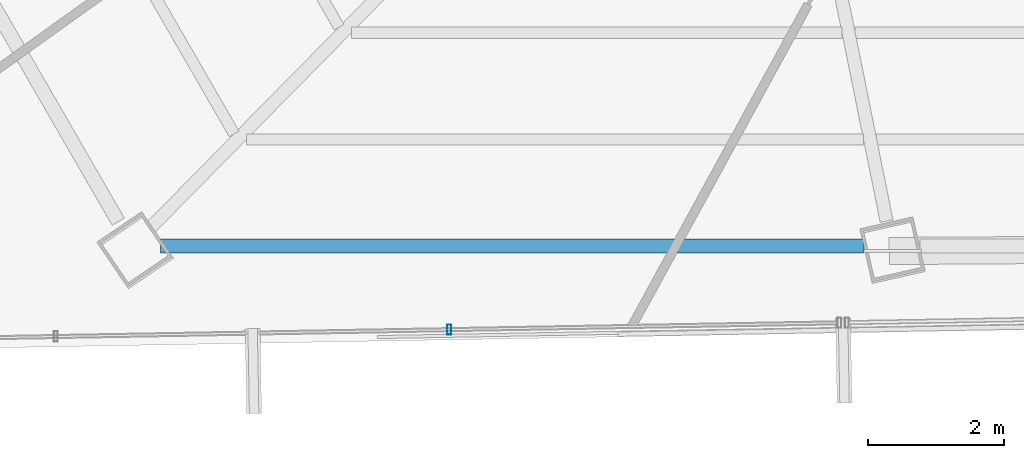
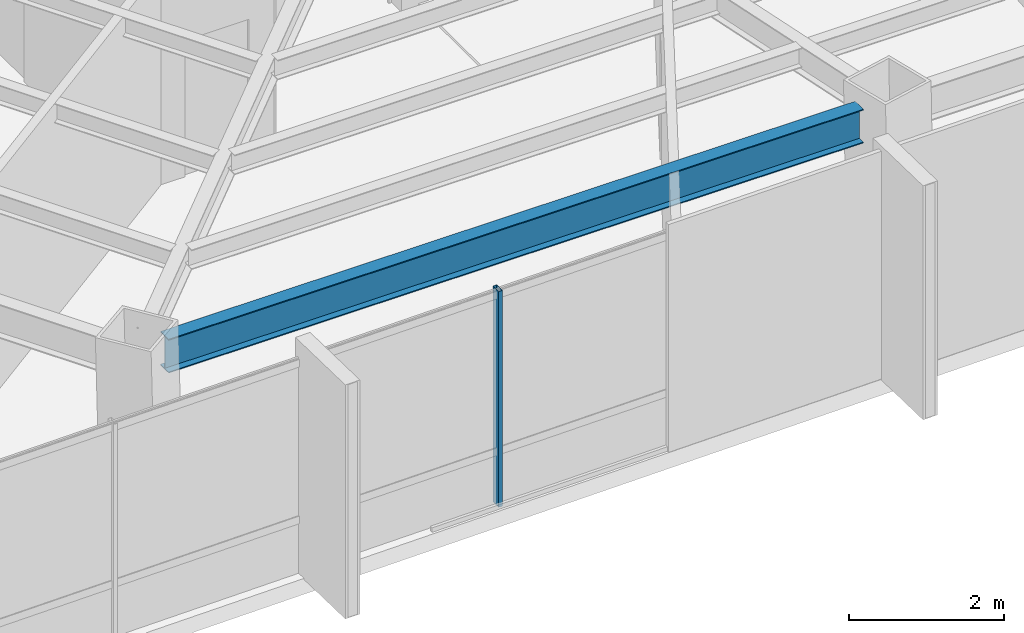
# One storey, part 6 of 42: 1 beam, 1 member, 1 element without a shape of its own.
"""IFC4 building model written with IfcOpenShell, lengths in metres."""

from ifc_helpers import new_model, si_unit, direction, frame, origin, origin_2d, place, context, subcontext, project, spatial, hollow_rectangle, i_section, extrude, source, transform, mapped, material, material_profile, profile_set, type_object, type_shapes, element, aggregate, save


model = new_model("IFC4")

# Units and contexts
model_context = context("Model", 3, precision=1e-05, world=origin(), true_north=direction((0.0, 1.0)))
body_context = subcontext(model_context, "Body", "Model", "MODEL_VIEW")
ifc_project = project(units=[si_unit("LENGTHUNIT", "METRE"), si_unit("AREAUNIT", "SQUARE_METRE"), si_unit("VOLUMEUNIT", "CUBIC_METRE"), si_unit("PLANEANGLEUNIT", "RADIAN"), si_unit("MASSUNIT", "GRAM", prefix="KILO")], contexts=[model_context])

# Site, building, storey
site_placement = place(None, origin())
site = spatial("IfcSite", under=ifc_project, at=site_placement, CompositionType="ELEMENT")
building_placement = place(site_placement, origin())
building = spatial("IfcBuilding", under=site, at=building_placement, Name="Caelisora Broadcast Tower", CompositionType="ELEMENT")
storey_placement = place(building_placement, frame((0.0, 0.0, 184.050048828125)))
storey = spatial("IfcBuildingStorey", under=building, at=storey_placement, Name="L48", CompositionType="ELEMENT", Elevation=184.050048828125)

# Beam
ifc_material_1 = material(Name="Steel Grade 350 (AS/NZS 3679.1)", Category="steel")
ifc_material_profile_1 = material_profile(ifc_material_1, i_section(OverallWidth=0.208984375, OverallDepth=0.532958984375, WebThickness=0.01025390625, FlangeThickness=0.015625, at=origin_2d()), Name="Steel Grade 350 (AS/NZS 3679.1)")
ifc_profile_set_1 = profile_set([ifc_material_profile_1], Name="Steel Grade 350 (AS/NZS 3679.1)")
beam_type = type_object("IfcBeamType", Name="PG05", PredefinedType="BEAM", material=ifc_profile_set_1)
shared_shape_1 = source(origin(), body_context, "Body", "SweptSolid", [
    extrude(i_section(OverallWidth=0.208984375, OverallDepth=0.532958984375, WebThickness=0.01025390625, FlangeThickness=0.015625, at=origin_2d()), origin(), (0.0, 0.0, 1.0), 10.3603515625),
])
type_shapes(beam_type, [shared_shape_1])
beam_placement = place(storey_placement, frame((21.62744140625, 7.97119140625, 3.133544921875), z_axis=(1.0, 0.0, 0.0), x_axis=(0.0, 1.0, 0.0)))
element("IfcBeam", 1, at=beam_placement, inside=storey, type_object=beam_type, Name="L48 beam PG05", PredefinedType="BEAM", context=body_context, shape_type="MappedRepresentation", body=[
    mapped(shared_shape_1, transform((0.0, 0.0, 0.0), scale=1.0)),
])

# Curtain wall, member
ifc_material_2 = material(Name="Unitised Aluminium and Low-E Glass Curtain Wall", Category="glass")
curtain_wall_type = type_object("IfcCurtainWallType", Name="CW-Z4", PredefinedType="NOTDEFINED", material=ifc_material_2)
curtain_wall_placement = place(storey_placement, origin())
curtain_wall = element("IfcCurtainWall", 2, at=curtain_wall_placement, inside=storey, type_object=curtain_wall_type, Name="L48 curtain wall CW-Z4", PredefinedType="NOTDEFINED")
ifc_material_3 = material(Name="Aluminium 6063-T6 Anodised Terracotta Bronze", Category="aluminium")
ifc_material_profile_2 = material_profile(ifc_material_3, hollow_rectangle(XDim=0.06005859375, YDim=0.14990234375, WallThickness=0.00341796875, at=origin_2d()), Name="Aluminium 6063-T6 Anodised Terracotta Bronze")
ifc_profile_set_2 = profile_set([ifc_material_profile_2], Name="Aluminium 6063-T6 Anodised Terracotta Bronze")
member_type = type_object("IfcMemberType", Name="CWM-03", PredefinedType="MULLION", material=ifc_profile_set_2)
shared_shape_2 = source(origin(), body_context, "Body", "SweptSolid", [
    extrude(hollow_rectangle(XDim=0.06005859375, YDim=0.14990234375, WallThickness=0.00341796875, at=origin_2d()), origin(), (0.0, 0.0, 1.0), 3.39990234375),
])
type_shapes(member_type, [shared_shape_2])
member_placement = place(storey_placement, frame((25.88330078125, 6.739501953125, 0.0), z_axis=(0.0, 0.0, 1.0), x_axis=(1.0, 0.0, 0.0)))
member = element("IfcMember", 3, at=member_placement, type_object=member_type, Name="L48-CW-B07 mullion #1", PredefinedType="MULLION", context=body_context, shape_type="MappedRepresentation", body=[
    mapped(shared_shape_2, transform((0.0, 0.0, 0.0), scale=1.0)),
])
aggregate(curtain_wall, [member])

save(model, "model.ifc")
